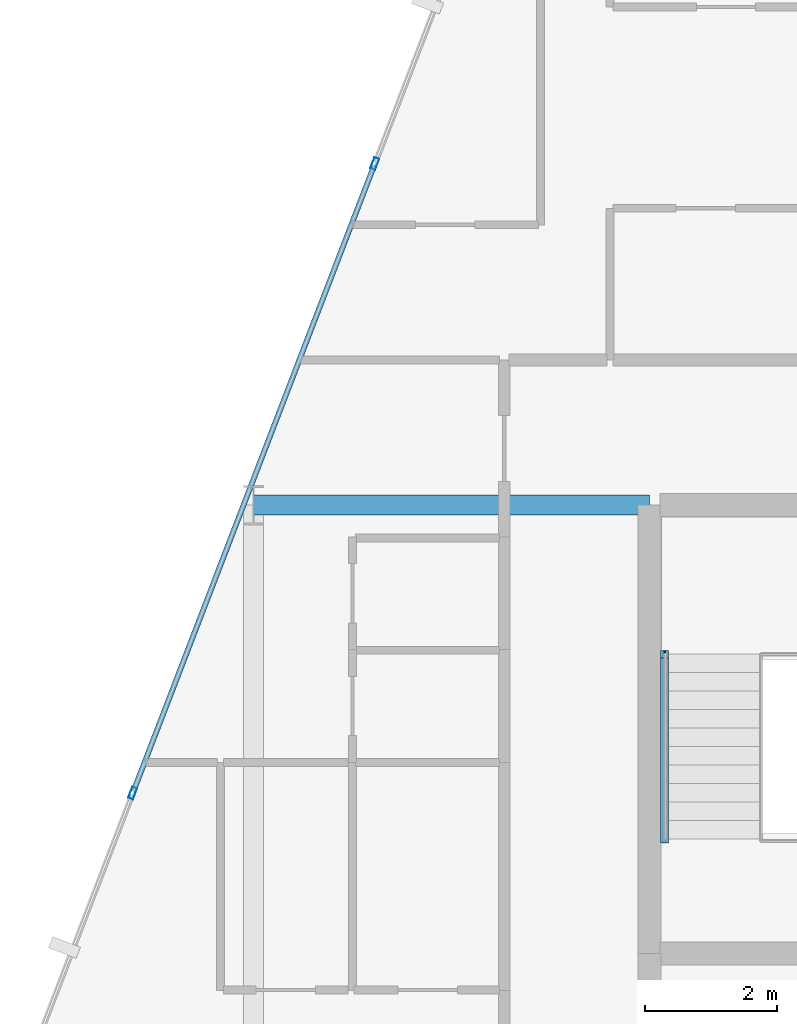
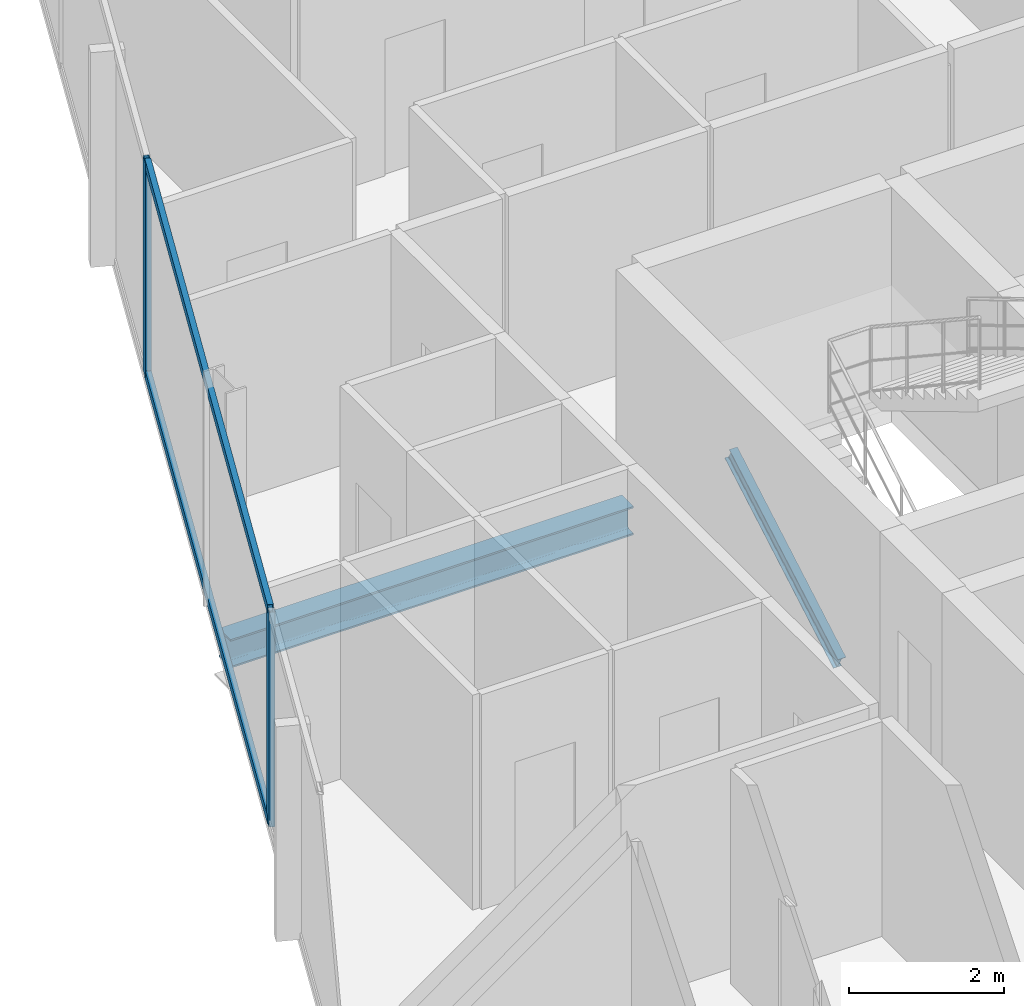
# One storey, part 14 of 30: 5 members, 1 beam, 1 element without a shape of its own.
"""IFC4 building model written with IfcOpenShell, lengths in metres."""

from ifc_helpers import new_model, si_unit, direction, frame, origin, origin_2d, place, context, subcontext, project, spatial, hollow_rectangle, i_section, extrude, material, layer, layer_set, material_profile, profile_set, type_object, element, aggregate, save


model = new_model("IFC4")

# Units and contexts
model_context = context("Model", 3, precision=1e-05, world=origin(), true_north=direction((0.0, 1.0)))
body_context = subcontext(model_context, "Body", "Model", "MODEL_VIEW")
ifc_project = project(units=[si_unit("LENGTHUNIT", "METRE"), si_unit("AREAUNIT", "SQUARE_METRE"), si_unit("VOLUMEUNIT", "CUBIC_METRE"), si_unit("PLANEANGLEUNIT", "RADIAN"), si_unit("MASSUNIT", "GRAM", prefix="KILO")], contexts=[model_context])

# Site, building, storey
site_placement = place(None, origin())
site = spatial("IfcSite", under=ifc_project, at=site_placement, CompositionType="ELEMENT")
building_placement = place(site_placement, origin())
building = spatial("IfcBuilding", under=site, at=building_placement, Name="Keshet Zoharim Tower", CompositionType="ELEMENT")
storey_placement = place(building_placement, frame((0.0, 0.0, 116.800048828125)))
storey = spatial("IfcBuildingStorey", under=building, at=storey_placement, Name="L28", CompositionType="ELEMENT", Elevation=116.800048828125)

# Beam
ifc_material_1 = material(Name="Steel S355", Category="steel")
ifc_material_profile_1 = material_profile(ifc_material_1, i_section(OverallWidth=0.300048828125, OverallDepth=0.449951171875, WebThickness=0.013916015625, FlangeThickness=0.02587890625, FilletRadius=0.027099609375, at=origin_2d()), Name="HEB450")
ifc_profile_set_1 = profile_set([ifc_material_profile_1], Name="Steel S355")
beam_type = type_object("IfcBeamType", Name="BM-WEB-HB450", PredefinedType="BEAM", material=ifc_profile_set_1)
beam_placement = place(storey_placement, frame((9.0, 37.89990234375, -0.5400390625), z_axis=(1.0, 0.0, 0.0), x_axis=(0.0, 1.0, 0.0)))
element("IfcBeam", 1, at=beam_placement, inside=storey, type_object=beam_type, Name="L28 Primary Girder X-018", PredefinedType="BEAM", context=body_context, shape_type="SweptSolid", body=[
    extrude(i_section(OverallWidth=0.300048828125, OverallDepth=0.449951171875, WebThickness=0.013916015625, FlangeThickness=0.02587890625, FilletRadius=0.027099609375, at=origin_2d()), origin(), (0.0, 0.0, 1.0), 6.0),
])

# Curtain wall, members
ifc_material_2 = material(Name="Aluminium 6063-T6", Category="aluminium")
ifc_layer = layer(ifc_material_2, 0.159912109375)
ifc_layer_set = layer_set([ifc_layer], Name="Aluminium 6063-T6")
curtain_wall_type = type_object("IfcCurtainWallType", Name="CW-SYS-03", PredefinedType="NOTDEFINED", material=ifc_layer_set)
curtain_wall_placement = place(storey_placement, origin())
curtain_wall = element("IfcCurtainWall", 2, at=curtain_wall_placement, inside=storey, type_object=curtain_wall_type, Name="L28 Unitised Curtain Wall 10", PredefinedType="NOTDEFINED")
ifc_material_profile_2 = material_profile(ifc_material_2, hollow_rectangle(XDim=0.080078125, YDim=0.179931640625, WallThickness=0.00439453125, at=origin_2d()), Name="MUL-80x180")
ifc_profile_set_2 = profile_set([ifc_material_profile_2], Name="Aluminium 6063-T6")
member_type_1 = type_object("IfcMemberType", Name="CWM-M18", PredefinedType="MULLION", material=ifc_profile_set_2)
member_1_placement = place(storey_placement, frame((7.1669921875, 33.53466796875, 0.0), z_axis=(0.0, 0.0, 1.0), x_axis=(-0.933341404361, 0.358990003907, 0.0)))
member_1 = element("IfcMember", 3, at=member_1_placement, type_object=member_type_1, Name="CW-03 mullion 2", PredefinedType="MULLION", context=body_context, shape_type="SweptSolid", body=[
    extrude(hollow_rectangle(XDim=0.080078125, YDim=0.179931640625, WallThickness=0.00439453125, at=origin_2d()), origin(), (0.0, 0.0, 1.0), 3.3798828125),
])
member_2_placement = place(storey_placement, frame((10.8369140625, 43.076416015625, 0.0), z_axis=(0.0, 0.0, 1.0), x_axis=(-0.933341404361, 0.358990003907, 0.0)))
member_2 = element("IfcMember", 4, at=member_2_placement, type_object=member_type_1, Name="CW-03 mullion 3", PredefinedType="MULLION", context=body_context, shape_type="SweptSolid", body=[
    extrude(hollow_rectangle(XDim=0.080078125, YDim=0.179931640625, WallThickness=0.00439453125, at=origin_2d()), origin(), (0.0, 0.0, 1.0), 3.3798828125),
])
ifc_material_profile_3 = material_profile(ifc_material_2, hollow_rectangle(XDim=0.080078125, YDim=0.139892578125, WallThickness=0.00390625, at=origin_2d()), Name="TRN-80x140")
ifc_profile_set_3 = profile_set([ifc_material_profile_3], Name="Aluminium 6063-T6")
member_type_2 = type_object("IfcMemberType", Name="CWT-T14", PredefinedType="USERDEFINED", material=ifc_profile_set_3)
member_3_placement = place(storey_placement, frame((7.179443359375, 33.5673828125, 0.034912109375), z_axis=(0.359003248899, 0.933336309848, 0.0), x_axis=(-0.933336309848, 0.359003248899, 0.0)))
member_3 = element("IfcMember", 5, at=member_3_placement, type_object=member_type_2, Name="CW-03 transom 2.1", ObjectType="TRANSOM", PredefinedType="USERDEFINED", context=body_context, shape_type="SweptSolid", body=[
    extrude(hollow_rectangle(XDim=0.080078125, YDim=0.139892578125, WallThickness=0.00390625, at=origin_2d()), origin(), (0.0, 0.0, 1.0), 10.153076171875),
])
member_4_placement = place(storey_placement, frame((7.179443359375, 33.5673828125, 3.344970703125), z_axis=(0.359003248899, 0.933336309848, 0.0), x_axis=(-0.933336309848, 0.359003248899, 0.0)))
member_4 = element("IfcMember", 6, at=member_4_placement, type_object=member_type_2, Name="CW-03 transom 2.2", ObjectType="TRANSOM", PredefinedType="USERDEFINED", context=body_context, shape_type="SweptSolid", body=[
    extrude(hollow_rectangle(XDim=0.080078125, YDim=0.139892578125, WallThickness=0.00390625, at=origin_2d()), origin(), (0.0, 0.0, 1.0), 10.153076171875),
])
aggregate(curtain_wall, [member_1, member_2, member_3, member_4])

# Member
ifc_material_profile_4 = material_profile(ifc_material_1, i_section(OverallWidth=0.1201171875, OverallDepth=0.239990234375, WebThickness=0.006103515625, FlangeThickness=0.009765625, FilletRadius=0.014892578125, at=origin_2d()), Name="IPE240")
ifc_profile_set_4 = profile_set([ifc_material_profile_4], Name="Steel S355")
member_type_3 = type_object("IfcMemberType", Name="MB-STRG-IP240", PredefinedType="STRINGER", material=ifc_profile_set_4)
member_5_placement = place(storey_placement, frame((15.22998046875, 32.840087890625, 0.119873046875), z_axis=(0.0, 0.866876903101, 0.498522251129), x_axis=(-1.0, 0.0, 0.0)))
element("IfcMember", 7, at=member_5_placement, inside=storey, type_object=member_type_3, Name="L28 ST-02 Flight Steel Stringer", PredefinedType="STRINGER", context=body_context, shape_type="SweptSolid", body=[
    extrude(i_section(OverallWidth=0.1201171875, OverallDepth=0.239990234375, WebThickness=0.006103515625, FlangeThickness=0.009765625, FilletRadius=0.014892578125, at=origin_2d()), origin(), (0.0, 0.0, 1.0), 3.229736328125),
])

save(model, "model.ifc")
